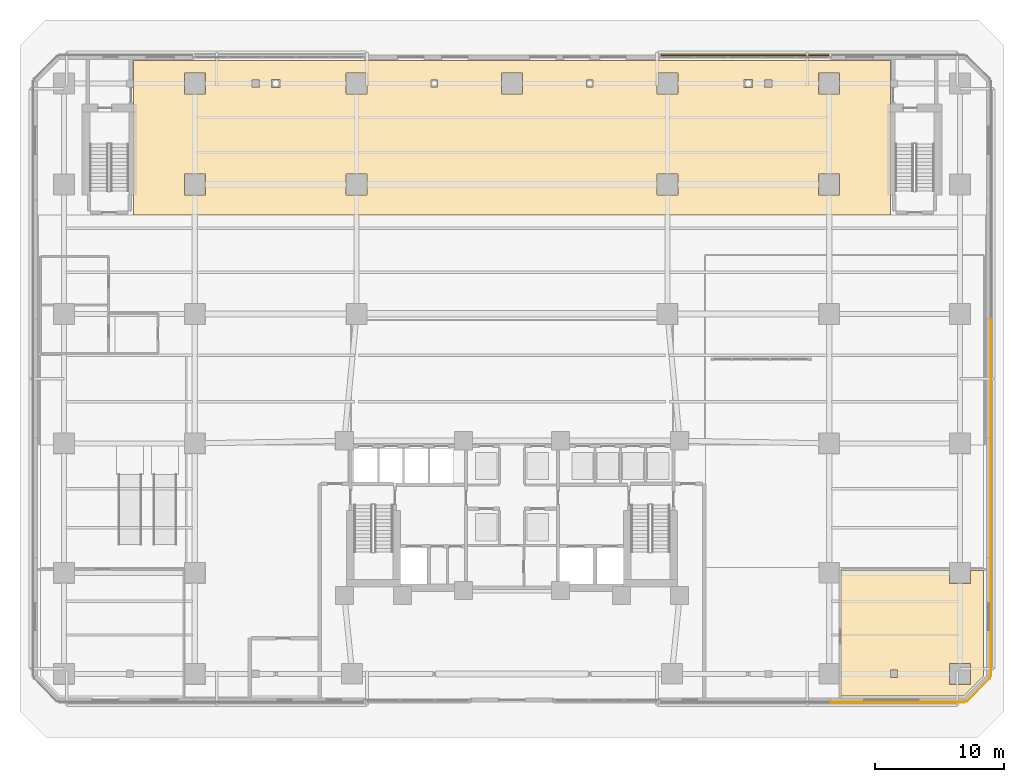
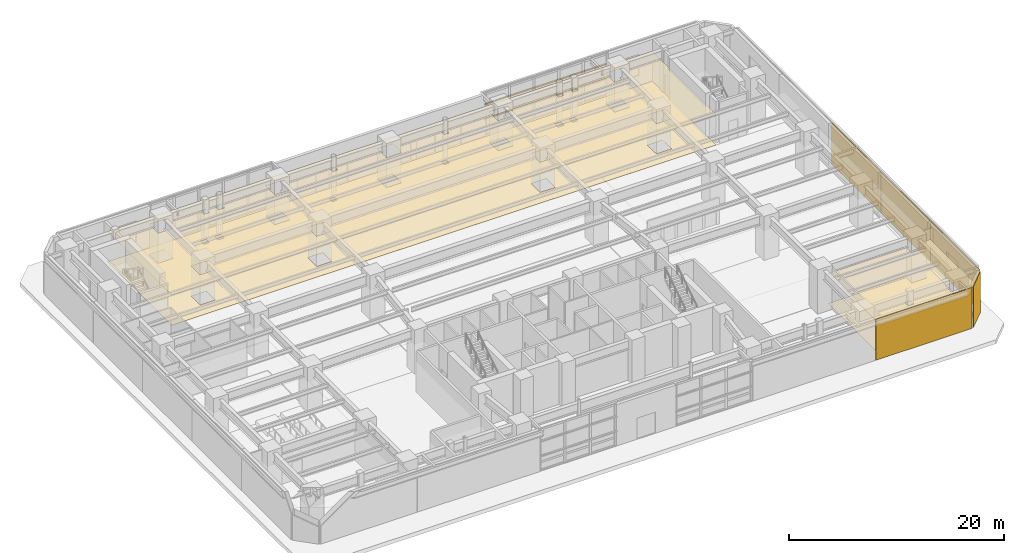
# One storey, part 24 of 26: 9 coverings, 2 shading devices.
"""IFC4 building model written with IfcOpenShell, lengths in metres."""

from ifc_helpers import new_model, si_unit, direction, frame, origin, origin_2d, place, context, subcontext, project, spatial, polyline, rectangle, outline, extrude, material, layer, layer_set, material_profile, profile_set, type_object, element, save


model = new_model("IFC4")

# Units and contexts
model_context = context("Model", 3, precision=1e-05, world=origin(), true_north=direction((0.0, 1.0)))
body_context = subcontext(model_context, "Body", "Model", "MODEL_VIEW")
ifc_project = project(units=[si_unit("LENGTHUNIT", "METRE"), si_unit("AREAUNIT", "SQUARE_METRE"), si_unit("VOLUMEUNIT", "CUBIC_METRE"), si_unit("PLANEANGLEUNIT", "RADIAN"), si_unit("MASSUNIT", "GRAM", prefix="KILO")], contexts=[model_context])

# Site, building, storey
site_placement = place(None, origin())
site = spatial("IfcSite", under=ifc_project, at=site_placement, CompositionType="ELEMENT")
building_placement = place(site_placement, origin())
building = spatial("IfcBuilding", under=site, at=building_placement, Name="Quenlor Broadcast Tower", CompositionType="ELEMENT")
storey_placement = place(building_placement, origin())
storey = spatial("IfcBuildingStorey", under=building, at=storey_placement, Name="L00", CompositionType="ELEMENT", Elevation=0.0)

# Coverings
ifc_material_1 = material(Name="Acoustic Mineral Fibre Board", Category="other")
ifc_layer_1 = layer(ifc_material_1, 0.02490234375)
ifc_layer_set_1 = layer_set([ifc_layer_1], Name="Acoustic Perforated Mineral Tile Ceiling 25")
covering_type_1 = type_object("IfcCoveringType", Name="Acoustic Perforated Mineral Tile Ceiling 25", PredefinedType="CEILING", material=ifc_layer_set_1)
covering_1_placement = place(storey_placement, frame((0.0, 0.0, 3.425048828125)))
element("IfcCovering", 1, at=covering_1_placement, inside=storey, type_object=covering_type_1, Name="L00 Acoustic Ceiling L00-34", PredefinedType="CEILING", context=body_context, shape_type="SweptSolid", body=[
    extrude(outline(polyline([(33.7919921875, -15.80810546875), (35.407958984375, -15.80810546875), (35.407958984375, -14.800048828125), (36.39990234375, -14.800048828125), (36.39990234375, -23.006103515625), (34.885986328125, -24.52001953125), (25.39990234375, -24.52001953125), (25.39990234375, -14.800048828125), (33.7919921875, -14.800048828125), (33.7919921875, -15.80810546875)]), holes=[polyline([(35.407958984375, -23.60791015625), (35.407958984375, -21.991943359375), (33.7919921875, -21.991943359375), (33.7919921875, -23.60791015625), (35.407958984375, -23.60791015625)]), polyline([(29.782958984375, -23.0830078125), (29.782958984375, -22.51708984375), (29.217041015625, -22.51708984375), (29.217041015625, -23.0830078125), (29.782958984375, -23.0830078125)])]), origin(), (0.0, 0.0, 1.0), 0.02490234375),
])
covering_2_placement = place(storey_placement, frame((0.0, 0.0, 3.425048828125)))
element("IfcCovering", 2, at=covering_2_placement, inside=storey, type_object=covering_type_1, Name="L00 Acoustic Ceiling L00-42-2", PredefinedType="CEILING", context=body_context, shape_type="SweptSolid", body=[
    extrude(outline(polyline([(-29.217041015625, 22.51708984375), (-29.217041015625, 23.0830078125), (-29.25, 23.0830078125), (-29.25, 24.57666015625), (29.25, 24.580078125), (29.25, 23.0830078125), (29.217041015625, 23.0830078125), (29.217041015625, 22.51708984375), (29.25, 22.51708984375), (29.25, 12.64990234375), (-29.25, 12.64990234375), (-29.25, 22.51708984375), (-29.217041015625, 22.51708984375)]), holes=[polyline([(-23.69189453125, 14.19189453125), (-23.69189453125, 15.80810546875), (-25.30810546875, 15.80810546875), (-25.30810546875, 14.19189453125), (-23.69189453125, 14.19189453125)]), polyline([(-23.69189453125, 21.991943359375), (-23.69189453125, 23.60791015625), (-25.30810546875, 23.60791015625), (-25.30810546875, 21.991943359375), (-23.69189453125, 21.991943359375)]), polyline([(-19.51708984375, 22.51708984375), (-19.51708984375, 23.0830078125), (-20.0830078125, 23.0830078125), (-20.0830078125, 22.51708984375), (-19.51708984375, 22.51708984375)]), polyline([(-17.93701171875, 22.487060546875), (-17.93701171875, 23.113037109375), (-18.56298828125, 23.113037109375), (-18.56298828125, 22.487060546875), (-17.93701171875, 22.487060546875)]), polyline([(12.80810546875, 14.19189453125), (12.80810546875, 15.80810546875), (11.19189453125, 15.80810546875), (11.19189453125, 14.19189453125), (12.80810546875, 14.19189453125)]), polyline([(-11.19189453125, 14.19189453125), (-11.19189453125, 15.80810546875), (-12.80810546875, 15.80810546875), (-12.80810546875, 14.19189453125), (-11.19189453125, 14.19189453125)]), polyline([(0.80810546875, 21.991943359375), (0.80810546875, 23.60791015625), (-0.80810546875, 23.60791015625), (-0.80810546875, 21.991943359375), (0.80810546875, 21.991943359375)]), polyline([(6.261962890625, 22.5380859375), (6.261962890625, 23.06201171875), (5.738037109375, 23.06201171875), (5.738037109375, 22.5380859375), (6.261962890625, 22.5380859375)]), polyline([(-5.738037109375, 22.5380859375), (-5.738037109375, 23.06201171875), (-6.261962890625, 23.06201171875), (-6.261962890625, 22.5380859375), (-5.738037109375, 22.5380859375)]), polyline([(12.80810546875, 21.991943359375), (12.80810546875, 23.60791015625), (11.19189453125, 23.60791015625), (11.19189453125, 21.991943359375), (12.80810546875, 21.991943359375)]), polyline([(-11.19189453125, 21.991943359375), (-11.19189453125, 23.60791015625), (-12.80810546875, 23.60791015625), (-12.80810546875, 21.991943359375), (-11.19189453125, 21.991943359375)]), polyline([(25.30810546875, 14.19189453125), (25.30810546875, 15.80810546875), (23.69189453125, 15.80810546875), (23.69189453125, 14.19189453125), (25.30810546875, 14.19189453125)]), polyline([(20.0830078125, 22.51708984375), (20.0830078125, 23.0830078125), (19.51708984375, 23.0830078125), (19.51708984375, 22.51708984375), (20.0830078125, 22.51708984375)]), polyline([(25.30810546875, 21.991943359375), (25.30810546875, 23.60791015625), (23.69189453125, 23.60791015625), (23.69189453125, 21.991943359375), (25.30810546875, 21.991943359375)]), polyline([(18.56298828125, 22.487060546875), (18.56298828125, 23.113037109375), (17.93701171875, 23.113037109375), (17.93701171875, 22.487060546875), (18.56298828125, 22.487060546875)])]), origin(), (0.0, 0.0, 1.0), 0.02490234375),
])

# Shading devices
ifc_material_2 = material(Name="Architectural Terracotta Ceramic", Category="masonry")
ifc_material_profile = material_profile(ifc_material_2, rectangle(XDim=0.090087890625, YDim=0.139892578125, at=origin_2d()))
ifc_profile_set = profile_set([ifc_material_profile], Name="Architectural Terracotta Ceramic BAG90x140")
shading_device_type = type_object("IfcShadingDeviceType", Name="Copper Terracotta Baguette Solar Screen 140", PredefinedType="USERDEFINED", material=ifc_profile_set)
for number, where, z_axis, x_axis, name in (
    (3, (11.44091796875, 24.972900390625, 1.69189453125), (1.0, 0.0, 0.0), (0.0, 1.0, 0.0), "L00 Terracotta Baguette Screen 1"),
    (4, (11.44091796875, 24.972900390625, 3.384033203125), (1.0, 0.0, 0.0), (0.0, 1.0, 0.0), "L00 Terracotta Baguette Screen 2"),
):
    element("IfcShadingDevice", number, at=place(storey_placement, frame(where, z_axis=z_axis, x_axis=x_axis)), inside=storey, type_object=shading_device_type, Name=name, ObjectType="BAGUETTE", PredefinedType="USERDEFINED", context=body_context, shape_type="SweptSolid", body=[
        extrude(rectangle(XDim=0.090087890625, YDim=0.139892578125, at=origin_2d()), origin(), (0.0, 0.0, 1.0), 13.1181640625),
    ])

# Coverings
ifc_material_3 = material(Name="Architectural Terracotta Ceramic", Category="masonry")
ifc_layer_2 = layer(ifc_material_3, 0.044921875)
ifc_layer_set_2 = layer_set([ifc_layer_2], Name="Fluted Terracotta Rainscreen Cladding Panel")
covering_type_2 = type_object("IfcCoveringType", Name="Fluted Terracotta Rainscreen Cladding Panel", PredefinedType="CLADDING", material=ifc_layer_set_2)
covering_3_placement = place(storey_placement, frame((0.0, 0.0, 0.02001953125)))
element("IfcCovering", 5, at=covering_3_placement, inside=storey, type_object=covering_type_2, Name="L00 Terracotta Rainscreen Cladding L00-EW-SOB", PredefinedType="CLADDING", context=body_context, shape_type="SweptSolid", body=[
    extrude(outline(polyline([(34.969970703125, -24.971923828125), (24.6298828125, -24.971923828125), (24.6298828125, -25.01708984375), (34.969970703125, -25.01708984375), (34.969970703125, -24.971923828125)])), origin(), (0.0, 0.0, 1.0), 4.659912109375),
])
covering_4_placement = place(storey_placement, frame((0.0, 0.0, 0.02001953125)))
element("IfcCovering", 6, at=covering_4_placement, inside=storey, type_object=covering_type_2, Name="L00 Terracotta Rainscreen Cladding L00-EW-E3", PredefinedType="CLADDING", context=body_context, shape_type="SweptSolid", body=[
    extrude(outline(polyline([(36.971923828125, 4.570068359375), (36.971923828125, -4.570068359375), (37.01708984375, -4.570068359375), (37.01708984375, 4.570068359375), (36.971923828125, 4.570068359375)])), origin(), (0.0, 0.0, 1.0), 4.659912109375),
])
covering_5_placement = place(storey_placement, frame((0.0, 0.0, 0.02001953125)))
element("IfcCovering", 7, at=covering_5_placement, inside=storey, type_object=covering_type_2, Name="L00 Terracotta Rainscreen Cladding L00-EW-E4", PredefinedType="CLADDING", context=body_context, shape_type="SweptSolid", body=[
    extrude(outline(polyline([(36.971923828125, -4.6298828125), (36.971923828125, -13.77001953125), (37.01708984375, -13.77001953125), (37.01708984375, -4.6298828125), (36.971923828125, -4.6298828125)])), origin(), (0.0, 0.0, 1.0), 4.659912109375),
])
covering_6_placement = place(storey_placement, frame((0.0, 0.0, 0.02001953125)))
element("IfcCovering", 8, at=covering_6_placement, inside=storey, type_object=covering_type_2, Name="L00 Terracotta Rainscreen Cladding L00-EW-E5", PredefinedType="CLADDING", context=body_context, shape_type="SweptSolid", body=[
    extrude(outline(polyline([(36.971923828125, -13.830078125), (36.971923828125, -22.969970703125), (37.01708984375, -22.969970703125), (37.01708984375, -13.830078125), (36.971923828125, -13.830078125)])), origin(), (0.0, 0.0, 1.0), 4.659912109375),
])
covering_7_placement = place(storey_placement, frame((0.0, 0.0, 0.02001953125)))
element("IfcCovering", 9, at=covering_7_placement, inside=storey, type_object=covering_type_2, Name="L00 Terracotta Rainscreen Cladding L00-EW-CSE", PredefinedType="CLADDING", context=body_context, shape_type="SweptSolid", body=[
    extrude(outline(polyline([(36.90625, -23.128662109375), (35.128662109375, -24.90625), (35.160400390625, -24.93798828125), (36.93798828125, -23.160400390625), (36.90625, -23.128662109375)])), origin(), (0.0, 0.0, 1.0), 4.659912109375),
])
ifc_material_4 = material(Name="Terrazzo Stone Finish", Category="masonry")
ifc_layer_3 = layer(ifc_material_4, 0.02001953125)
ifc_layer_set_3 = layer_set([ifc_layer_3], Name="Polished Sandstone Terrazzo Flooring 20")
covering_type_3 = type_object("IfcCoveringType", Name="Polished Sandstone Terrazzo Flooring 20", PredefinedType="FLOORING", material=ifc_layer_set_3)
covering_8_placement = place(storey_placement, origin())
element("IfcCovering", 10, at=covering_8_placement, inside=storey, type_object=covering_type_3, Name="L00 Terrazzo Flooring L00-34", PredefinedType="FLOORING", context=body_context, shape_type="SweptSolid", body=[
    extrude(outline(polyline([(33.7919921875, -15.80810546875), (35.407958984375, -15.80810546875), (35.407958984375, -14.800048828125), (36.39990234375, -14.800048828125), (36.39990234375, -23.006103515625), (34.885986328125, -24.52001953125), (25.39990234375, -24.52001953125), (25.39990234375, -14.800048828125), (33.7919921875, -14.800048828125), (33.7919921875, -15.80810546875)]), holes=[polyline([(35.407958984375, -23.60791015625), (35.407958984375, -21.991943359375), (33.7919921875, -21.991943359375), (33.7919921875, -23.60791015625), (35.407958984375, -23.60791015625)]), polyline([(29.782958984375, -23.0830078125), (29.782958984375, -22.51708984375), (29.217041015625, -22.51708984375), (29.217041015625, -23.0830078125), (29.782958984375, -23.0830078125)])]), origin(), (0.0, 0.0, 1.0), 0.02001953125),
])
covering_9_placement = place(storey_placement, origin())
element("IfcCovering", 11, at=covering_9_placement, inside=storey, type_object=covering_type_3, Name="L00 Terrazzo Flooring L00-42-2", PredefinedType="FLOORING", context=body_context, shape_type="SweptSolid", body=[
    extrude(outline(polyline([(-29.217041015625, 22.51708984375), (-29.217041015625, 23.0830078125), (-29.25, 23.0830078125), (-29.25, 24.57666015625), (29.25, 24.580078125), (29.25, 23.0830078125), (29.217041015625, 23.0830078125), (29.217041015625, 22.51708984375), (29.25, 22.51708984375), (29.25, 12.64990234375), (-29.25, 12.64990234375), (-29.25, 22.51708984375), (-29.217041015625, 22.51708984375)]), holes=[polyline([(-23.69189453125, 14.19189453125), (-23.69189453125, 15.80810546875), (-25.30810546875, 15.80810546875), (-25.30810546875, 14.19189453125), (-23.69189453125, 14.19189453125)]), polyline([(-23.69189453125, 21.991943359375), (-23.69189453125, 23.60791015625), (-25.30810546875, 23.60791015625), (-25.30810546875, 21.991943359375), (-23.69189453125, 21.991943359375)]), polyline([(-19.51708984375, 22.51708984375), (-19.51708984375, 23.0830078125), (-20.0830078125, 23.0830078125), (-20.0830078125, 22.51708984375), (-19.51708984375, 22.51708984375)]), polyline([(-17.93701171875, 22.487060546875), (-17.93701171875, 23.113037109375), (-18.56298828125, 23.113037109375), (-18.56298828125, 22.487060546875), (-17.93701171875, 22.487060546875)]), polyline([(12.80810546875, 14.19189453125), (12.80810546875, 15.80810546875), (11.19189453125, 15.80810546875), (11.19189453125, 14.19189453125), (12.80810546875, 14.19189453125)]), polyline([(-11.19189453125, 14.19189453125), (-11.19189453125, 15.80810546875), (-12.80810546875, 15.80810546875), (-12.80810546875, 14.19189453125), (-11.19189453125, 14.19189453125)]), polyline([(0.80810546875, 21.991943359375), (0.80810546875, 23.60791015625), (-0.80810546875, 23.60791015625), (-0.80810546875, 21.991943359375), (0.80810546875, 21.991943359375)]), polyline([(6.261962890625, 22.5380859375), (6.261962890625, 23.06201171875), (5.738037109375, 23.06201171875), (5.738037109375, 22.5380859375), (6.261962890625, 22.5380859375)]), polyline([(-5.738037109375, 22.5380859375), (-5.738037109375, 23.06201171875), (-6.261962890625, 23.06201171875), (-6.261962890625, 22.5380859375), (-5.738037109375, 22.5380859375)]), polyline([(12.80810546875, 21.991943359375), (12.80810546875, 23.60791015625), (11.19189453125, 23.60791015625), (11.19189453125, 21.991943359375), (12.80810546875, 21.991943359375)]), polyline([(-11.19189453125, 21.991943359375), (-11.19189453125, 23.60791015625), (-12.80810546875, 23.60791015625), (-12.80810546875, 21.991943359375), (-11.19189453125, 21.991943359375)]), polyline([(25.30810546875, 14.19189453125), (25.30810546875, 15.80810546875), (23.69189453125, 15.80810546875), (23.69189453125, 14.19189453125), (25.30810546875, 14.19189453125)]), polyline([(20.0830078125, 22.51708984375), (20.0830078125, 23.0830078125), (19.51708984375, 23.0830078125), (19.51708984375, 22.51708984375), (20.0830078125, 22.51708984375)]), polyline([(25.30810546875, 21.991943359375), (25.30810546875, 23.60791015625), (23.69189453125, 23.60791015625), (23.69189453125, 21.991943359375), (25.30810546875, 21.991943359375)]), polyline([(18.56298828125, 22.487060546875), (18.56298828125, 23.113037109375), (17.93701171875, 23.113037109375), (17.93701171875, 22.487060546875), (18.56298828125, 22.487060546875)])]), origin(), (0.0, 0.0, 1.0), 0.02001953125),
])

save(model, "model.ifc")
